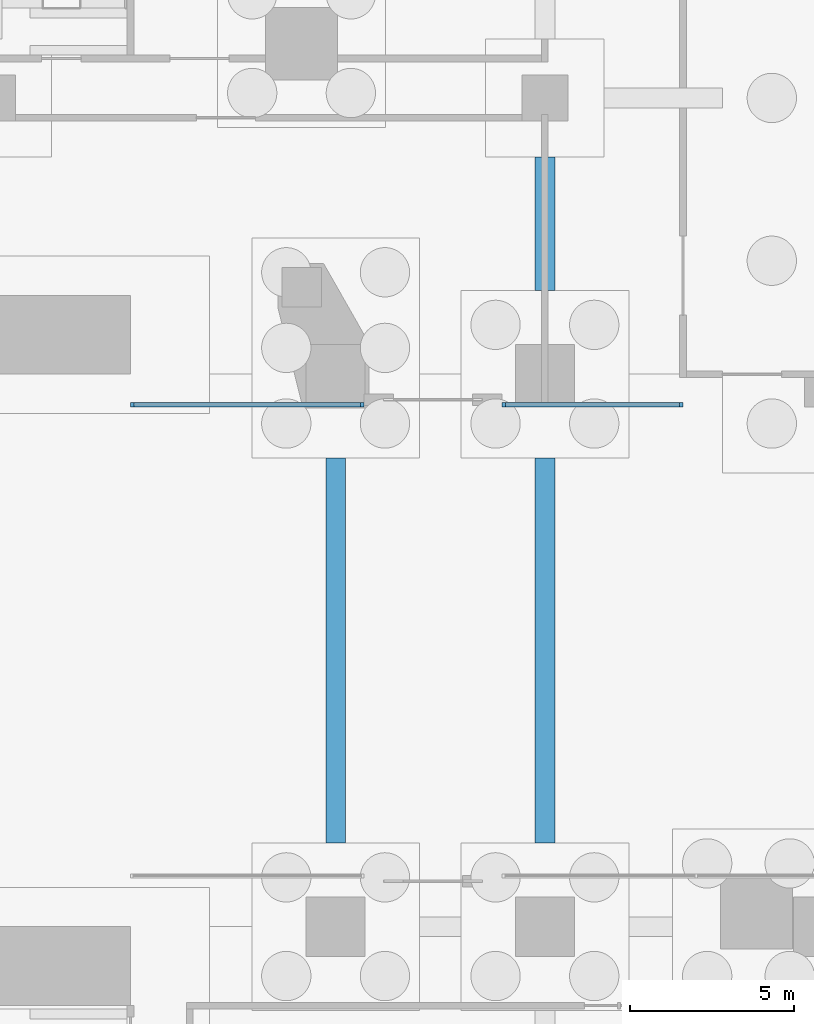
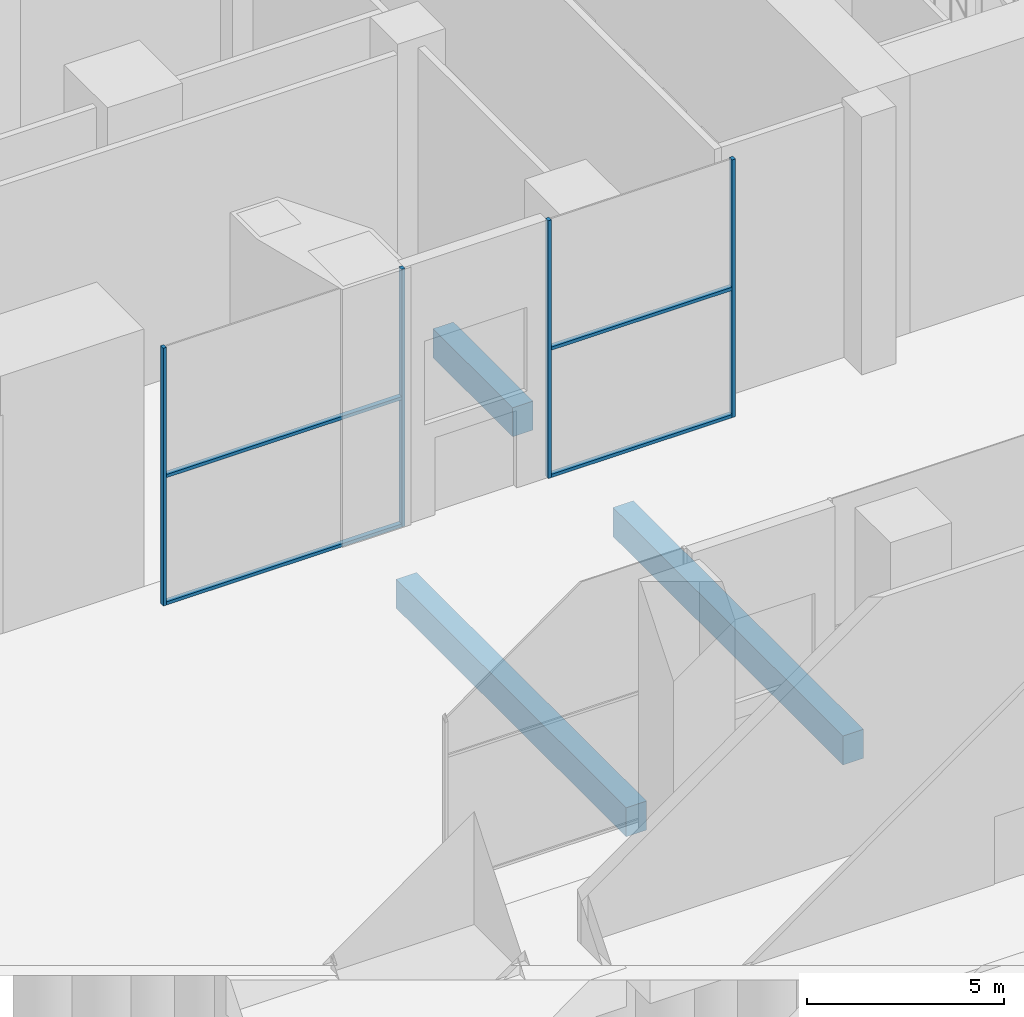
# One storey, part 5 of 31: 8 members, 3 beams, 2 elements without a shape of their own.
"""IFC4 building model written with IfcOpenShell, lengths in metres."""

import ifcopenshell
import ifcopenshell.guid

model = None  # the IFC model being written
_history = None  # IfcOwnerHistory: only IFC2X3 demands one
_inside = {}  # id of a spatial element -> (the spatial element, [elements in it])
_under = {}  # id of a project, library or spatial element -> (it, [spatial elements below it])
_declared = {}  # id of a project -> (the project, [libraries it declares])
_typed = {}  # id of a type object -> (the type object, [elements of that type])
_made_of = {}  # id of a material, layer set ... -> (it, [elements and type objects made of it])


def new_model(schema):
    """Start an empty IFC model of exactly this schema.

    Asked for "IFC4X3", IfcOpenShell would pick the latest addendum, in which some entities
    have other attributes; the version numbers below select the first issue.
    IFC2X3 requires an IfcOwnerHistory on every rooted entity: one is made here for all.
    """
    global model, _history
    if schema == "IFC4X3":
        model = ifcopenshell.file(schema_version=(4, 3, 0, 0))
    else:
        model = ifcopenshell.file(schema=schema)
    _inside.clear()
    _under.clear()
    _declared.clear()
    _typed.clear()
    _made_of.clear()
    _history = None
    if model.schema == "IFC2X3":
        org = make("IfcOrganization", Name="unknown")
        user = make(
            "IfcPersonAndOrganization",
            ThePerson=make("IfcPerson", FamilyName="unknown"),
            TheOrganization=org,
        )
        app = make(
            "IfcApplication",
            ApplicationDeveloper=org,
            Version="unknown",
            ApplicationFullName="unknown",
            ApplicationIdentifier="unknown",
        )
        _history = make(
            "IfcOwnerHistory",
            OwningUser=user,
            OwningApplication=app,
            ChangeAction="ADDED",
            CreationDate=0,
        )
    return model


def make(cls, **values):
    """One entity of the class cls with the attributes given. An attribute that is None is left unset."""
    return model.create_entity(
        cls, **{name: value for name, value in values.items() if value is not None}
    )


def rooted(cls, **values):
    """An entity with a GlobalId (a new one), such as an element, a storey or a relation."""
    return make(cls, GlobalId=ifcopenshell.guid.new(), OwnerHistory=_history, **values)


def si_unit(unit_type, name, prefix=None):
    """IfcSIUnit, for example si_unit("LENGTHUNIT", "METRE", prefix="MILLI")."""
    return make("IfcSIUnit", UnitType=unit_type, Prefix=prefix, Name=name)


def assignment(units):
    """IfcUnitAssignment: the units of a project."""
    return None if units is None else make("IfcUnitAssignment", Units=units)


def point(xyz):
    """IfcCartesianPoint."""
    return None if xyz is None else make("IfcCartesianPoint", Coordinates=xyz)


def direction(xyz):
    """IfcDirection."""
    return None if xyz is None else make("IfcDirection", DirectionRatios=xyz)


def frame(location, z_axis=None, x_axis=None):
    """IfcAxis2Placement3D, a coordinate frame: its origin and axes. An axis left out is left unset."""
    return make(
        "IfcAxis2Placement3D",
        Location=point(location),
        Axis=direction(z_axis),
        RefDirection=direction(x_axis),
    )


def frame_2d(location, x_axis=None):
    """IfcAxis2Placement2D, a coordinate frame in the plane: its origin and x axis."""
    return make(
        "IfcAxis2Placement2D", Location=point(location), RefDirection=direction(x_axis)
    )


def origin():
    """The frame at (0, 0, 0) with its axes left unset."""
    return frame((0.0, 0.0, 0.0))


def origin_2d():
    """The frame at (0, 0) in the plane with its x axis left unset."""
    return frame_2d((0.0, 0.0))


def place(relative_to, where):
    """IfcLocalPlacement: puts the frame where relative to a parent placement (None: the world)."""
    return make(
        "IfcLocalPlacement", PlacementRelTo=relative_to, RelativePlacement=where
    )


def context(
    kind, dimensions, precision=None, world=None, true_north=None, identifier=None
):
    """IfcGeometricRepresentationContext, for example the 3D "Model" context."""
    return make(
        "IfcGeometricRepresentationContext",
        ContextIdentifier=identifier,
        ContextType=kind,
        CoordinateSpaceDimension=dimensions,
        Precision=precision,
        WorldCoordinateSystem=world,
        TrueNorth=true_north,
    )


def subcontext(parent, identifier, kind, view, scale=None):
    """IfcGeometricRepresentationSubContext, for example "Body" below "Model"."""
    return make(
        "IfcGeometricRepresentationSubContext",
        ContextIdentifier=identifier,
        ContextType=kind,
        ParentContext=parent,
        TargetScale=scale,
        TargetView=view,
    )


def project(units=None, contexts=None):
    """IfcProject with its units and contexts."""
    return rooted(
        "IfcProject",
        Name="project",
        RepresentationContexts=contexts,
        UnitsInContext=assignment(units),
    )


def spatial(cls, under=None, at=None, **own):
    """A site, building, storey or space (cls), placed at a placement, below another one or the project."""
    s = rooted(cls, ObjectPlacement=at, **own)
    if under is not None:
        _under.setdefault(under.id(), (under, []))[1].append(s)
    return s


def profile(cls, at=None, kind="AREA", **sizes):
    """A parametric profile (cls). Its sizes go by their IFC names, for example OverallWidth=200.0."""
    return make(cls, ProfileType=kind, Position=at, **sizes)


def rectangle(**sizes):
    """IfcRectangleProfileDef."""
    return profile("IfcRectangleProfileDef", **sizes)


def extrude(swept, where, along, depth):
    """IfcExtrudedAreaSolid: the profile swept, set in the frame where, extruded along a direction by depth."""
    return make(
        "IfcExtrudedAreaSolid",
        SweptArea=swept,
        Position=where,
        ExtrudedDirection=direction(along),
        Depth=depth,
    )


def shape(context_of_items, identifier, shape_type, items):
    """IfcShapeRepresentation: the items that make up one representation, for example the "Body"."""
    return make(
        "IfcShapeRepresentation",
        ContextOfItems=context_of_items,
        RepresentationIdentifier=identifier,
        RepresentationType=shape_type,
        Items=items,
    )


def material(Name=None, Category=None):
    """IfcMaterial."""
    return make("IfcMaterial", Name=Name, Category=Category)


def layer(
    of_material, thickness, ventilated=None, Name=None, Category=None, Priority=None
):
    """IfcMaterialLayer: one layer of a wall or slab, of a material (None: an air gap)."""
    return make(
        "IfcMaterialLayer",
        Material=of_material,
        LayerThickness=thickness,
        IsVentilated=ventilated,
        Name=Name,
        Category=Category,
        Priority=Priority,
    )


def layer_set(layers, Name=None):
    """IfcMaterialLayerSet."""
    return make("IfcMaterialLayerSet", MaterialLayers=layers, LayerSetName=Name)


def material_profile(
    of_material, cross_section, Name=None, Category=None, Priority=None
):
    """IfcMaterialProfile: a cross section and its material."""
    return make(
        "IfcMaterialProfile",
        Name=Name,
        Material=of_material,
        Profile=cross_section,
        Priority=Priority,
        Category=Category,
    )


def profile_set(profiles, Name=None, composite=None):
    """IfcMaterialProfileSet."""
    return make(
        "IfcMaterialProfileSet",
        Name=Name,
        MaterialProfiles=profiles,
        CompositeProfile=composite,
    )


def made_of(thing, what):
    """Note that an element or type object is made of a material, layer set ...; save() writes the relation."""
    if what is not None:
        _made_of.setdefault(what.id(), (what, []))[1].append(thing)
    return thing


def type_object(cls, material=None, **own):
    """A type object (cls), such as IfcWallType, which elements share."""
    return made_of(rooted(cls, **own), material)


def element(
    cls,
    number,
    at=None,
    inside=None,
    cuts=None,
    type_object=None,
    material=None,
    context=None,
    identifier="Body",
    shape_type=None,
    held_by="IfcProductDefinitionShape",
    body=None,
    shapes=None,
    **own,
):
    """One element of the class cls, such as IfcWall. Its Tag is "e" and its number.

    at: its placement. inside: the storey or other place that contains it. cuts: it is an
    opening in that element (IfcRelVoidsElement). A single representation is given by context,
    identifier, shape_type and body (its items); several are given by shapes. held_by: the class
    of the entity that holds the representations. save() writes the other relations.
    """
    e = rooted(cls, Tag="e%d" % number, ObjectPlacement=at, **own)
    if body is not None:
        shapes = [shape(context, identifier, shape_type, body)]
    if shapes is not None:
        e.Representation = make(held_by, Representations=shapes)
    if inside is not None:
        _inside.setdefault(inside.id(), (inside, []))[1].append(e)
    if cuts is not None:
        rooted(
            "IfcRelVoidsElement", RelatingBuildingElement=cuts, RelatedOpeningElement=e
        )
    if type_object is not None:
        _typed.setdefault(type_object.id(), (type_object, []))[1].append(e)
    return made_of(e, material)


def aggregate(whole, parts):
    """IfcRelAggregates: a whole, such as a stair, and the parts it consists of."""
    return rooted("IfcRelAggregates", RelatingObject=whole, RelatedObjects=parts)


def save(model, path):
    """Write the relations noted so far, then the file.

    IfcRelAggregates (storeys below a building ...), IfcRelContainedInSpatialStructure (elements
    in a storey), IfcRelDefinesByType, IfcRelAssociatesMaterial and IfcRelDeclares: one each for
    every whole, place, type object, material and project.
    """
    for whole, parts in _under.values():
        aggregate(whole, parts)
    for where, things in _inside.values():
        rooted(
            "IfcRelContainedInSpatialStructure",
            RelatedElements=things,
            RelatingStructure=where,
        )
    for kind, things in _typed.values():
        rooted("IfcRelDefinesByType", RelatedObjects=things, RelatingType=kind)
    for what, things in _made_of.values():
        rooted("IfcRelAssociatesMaterial", RelatedObjects=things, RelatingMaterial=what)
    for by, libraries in _declared.values():
        rooted("IfcRelDeclares", RelatingContext=by, RelatedDefinitions=libraries)
    model.write(path)


model = new_model("IFC4")

# Units and contexts
model_context = context("Model", 3, precision=1e-05, world=origin(), true_north=direction((0.0, 1.0)))
body_context = subcontext(model_context, "Body", "Model", "MODEL_VIEW")
ifc_project = project(units=[si_unit("LENGTHUNIT", "METRE"), si_unit("AREAUNIT", "SQUARE_METRE"), si_unit("VOLUMEUNIT", "CUBIC_METRE"), si_unit("PLANEANGLEUNIT", "RADIAN"), si_unit("MASSUNIT", "GRAM", prefix="KILO")], contexts=[model_context])

# Site, building, storey
site_placement = place(None, origin())
site = spatial("IfcSite", under=ifc_project, at=site_placement, CompositionType="ELEMENT")
building_placement = place(site_placement, origin())
building = spatial("IfcBuilding", under=site, at=building_placement, Name="Marenta Gate Hotel Tower", CompositionType="ELEMENT")
storey_placement = place(building_placement, origin())
storey = spatial("IfcBuildingStorey", under=building, at=storey_placement, Name="L00", CompositionType="ELEMENT", Elevation=0.0)

# Beams
ifc_material_1 = material(Name="Concrete C40", Category="concrete")
ifc_material_profile_1 = material_profile(ifc_material_1, rectangle(XDim=0.60009765625, YDim=0.89990234375, at=origin_2d()), Name="600 x 900")
ifc_profile_set_1 = profile_set([ifc_material_profile_1], Name="Concrete C40")
beam_type = type_object("IfcBeamType", Name="Ground beam 600 x 900 C40", PredefinedType="BEAM", material=ifc_profile_set_1)
beam_1_placement = place(storey_placement, frame((-21.0, -14.25, -0.75), z_axis=(0.0, 1.0, 0.0), x_axis=(-1.0, 0.0, 0.0)))
element("IfcBeam", 1, at=beam_1_placement, inside=storey, type_object=beam_type, Name="L00-GB-26", PredefinedType="BEAM", context=body_context, shape_type="SweptSolid", body=[
    extrude(rectangle(XDim=0.60009765625, YDim=0.89990234375, at=origin_2d()), origin(), (0.0, 0.0, 1.0), 11.699951171875),
])
beam_2_placement = place(storey_placement, frame((-21.0, 2.550048828125, -0.75), z_axis=(0.0, 1.0, 0.0), x_axis=(-1.0, 0.0, 0.0)))
element("IfcBeam", 2, at=beam_2_placement, inside=storey, type_object=beam_type, Name="L00-GB-27", PredefinedType="BEAM", context=body_context, shape_type="SweptSolid", body=[
    extrude(rectangle(XDim=0.60009765625, YDim=0.89990234375, at=origin_2d()), origin(), (0.0, 0.0, 1.0), 4.050048828125),
])
beam_3_placement = place(storey_placement, frame((-27.363037109375, -14.25, -0.75), z_axis=(0.0, 1.0, 0.0), x_axis=(-1.0, 0.0, 0.0)))
element("IfcBeam", 3, at=beam_3_placement, inside=storey, type_object=beam_type, Name="L00-GB-77", PredefinedType="BEAM", context=body_context, shape_type="SweptSolid", body=[
    extrude(rectangle(XDim=0.60009765625, YDim=0.89990234375, at=origin_2d()), origin(), (0.0, 0.0, 1.0), 11.699951171875),
])

# Curtain wall, members
ifc_material_2 = material(Name="Tinted insulated glass in bronze anodised frame", Category="glass")
ifc_layer = layer(ifc_material_2, 0.139892578125)
ifc_layer_set = layer_set([ifc_layer], Name="Tinted insulated glass in bronze anodised frame")
curtain_wall_type = type_object("IfcCurtainWallType", Name="Hotel lobby glazing CW6", PredefinedType="NOTDEFINED", material=ifc_layer_set)
curtain_wall_1_placement = place(storey_placement, origin())
curtain_wall_1 = element("IfcCurtainWall", 4, at=curtain_wall_1_placement, inside=storey, type_object=curtain_wall_type, Name="CW6 run NB-S000", PredefinedType="NOTDEFINED")
ifc_material_3 = material(Name="Bronze anodised aluminium", Category="aluminium")
ifc_material_profile_2 = material_profile(ifc_material_3, rectangle(XDim=0.139892578125, YDim=0.10009765625, at=origin_2d()), Name="Mullion CW6 100x140 bronze anodised aluminium")
ifc_profile_set_2 = profile_set([ifc_material_profile_2], Name="Bronze anodised aluminium")
member_type_1 = type_object("IfcMemberType", Name="Mullion CW6 100x140 bronze anodised aluminium", PredefinedType="MULLION", material=ifc_profile_set_2)
member_1_placement = place(storey_placement, frame((-33.550048828125, -0.924072265625, 0.0), z_axis=(0.0, 0.0, 1.0), x_axis=(0.0, 1.0, 0.0)))
member_1 = element("IfcMember", 5, at=member_1_placement, type_object=member_type_1, Name="CW6 mullion 1", PredefinedType="MULLION", context=body_context, shape_type="SweptSolid", body=[
    extrude(rectangle(XDim=0.139892578125, YDim=0.10009765625, at=origin_2d()), origin(), (0.0, 0.0, 1.0), 8.0),
])
member_2_placement = place(storey_placement, frame((-26.550048828125, -0.924072265625, 0.0), z_axis=(0.0, 0.0, 1.0), x_axis=(0.0, 1.0, 0.0)))
member_2 = element("IfcMember", 6, at=member_2_placement, type_object=member_type_1, Name="CW6 mullion 2", PredefinedType="MULLION", context=body_context, shape_type="SweptSolid", body=[
    extrude(rectangle(XDim=0.139892578125, YDim=0.10009765625, at=origin_2d()), origin(), (0.0, 0.0, 1.0), 8.0),
])

curtain_wall_2_placement = place(storey_placement, origin())
curtain_wall_2 = element("IfcCurtainWall", 7, at=curtain_wall_2_placement, inside=storey, type_object=curtain_wall_type, Name="CW6 run NB-S001", PredefinedType="NOTDEFINED")
member_3_placement = place(storey_placement, frame((-22.25, -0.924072265625, 0.0), z_axis=(0.0, 0.0, 1.0), x_axis=(0.0, 1.0, 0.0)))
member_3 = element("IfcMember", 8, at=member_3_placement, type_object=member_type_1, Name="CW6 mullion 1", PredefinedType="MULLION", context=body_context, shape_type="SweptSolid", body=[
    extrude(rectangle(XDim=0.139892578125, YDim=0.10009765625, at=origin_2d()), origin(), (0.0, 0.0, 1.0), 8.0),
])
member_4_placement = place(storey_placement, frame((-16.85009765625, -0.924072265625, 0.0), z_axis=(0.0, 0.0, 1.0), x_axis=(0.0, 1.0, 0.0)))
member_4 = element("IfcMember", 9, at=member_4_placement, type_object=member_type_1, Name="CW6 mullion 2", PredefinedType="MULLION", context=body_context, shape_type="SweptSolid", body=[
    extrude(rectangle(XDim=0.139892578125, YDim=0.10009765625, at=origin_2d()), origin(), (0.0, 0.0, 1.0), 8.0),
])

# Member
ifc_material_4 = material(Name="Bronze anodised aluminium", Category="aluminium")
ifc_material_profile_3 = material_profile(ifc_material_4, rectangle(XDim=0.139892578125, YDim=0.10009765625, at=origin_2d()), Name="Transom CW6 100x140 bronze anodised aluminium")
ifc_profile_set_3 = profile_set([ifc_material_profile_3], Name="Bronze anodised aluminium")
member_type_2 = type_object("IfcMemberType", Name="Transom CW6 100x140 bronze anodised aluminium", PredefinedType="USERDEFINED", material=ifc_profile_set_3)
member_5_placement = place(storey_placement, frame((-33.5, -0.924072265625, 0.050048828125), z_axis=(1.0, 0.0, 0.0), x_axis=(0.0, 1.0, 0.0)))
member_5 = element("IfcMember", 10, at=member_5_placement, type_object=member_type_2, Name="CW6 transom 1.1", ObjectType="TRANSOM", PredefinedType="USERDEFINED", context=body_context, shape_type="SweptSolid", body=[
    extrude(rectangle(XDim=0.139892578125, YDim=0.10009765625, at=origin_2d()), origin(), (0.0, 0.0, 1.0), 6.89990234375),
])

member_6_placement = place(storey_placement, frame((-33.5, -0.924072265625, 4.0), z_axis=(1.0, 0.0, 0.0), x_axis=(0.0, 1.0, 0.0)))
member_6 = element("IfcMember", 11, at=member_6_placement, type_object=member_type_2, Name="CW6 transom 1.2", ObjectType="TRANSOM", PredefinedType="USERDEFINED", context=body_context, shape_type="SweptSolid", body=[
    extrude(rectangle(XDim=0.139892578125, YDim=0.10009765625, at=origin_2d()), origin(), (0.0, 0.0, 1.0), 6.89990234375),
])

aggregate(curtain_wall_1, [member_1, member_2, member_5, member_6])

member_7_placement = place(storey_placement, frame((-22.199951171875, -0.924072265625, 0.050048828125), z_axis=(1.0, 0.0, 0.0), x_axis=(0.0, 1.0, 0.0)))
member_7 = element("IfcMember", 12, at=member_7_placement, type_object=member_type_2, Name="CW6 transom 1.1", ObjectType="TRANSOM", PredefinedType="USERDEFINED", context=body_context, shape_type="SweptSolid", body=[
    extrude(rectangle(XDim=0.139892578125, YDim=0.10009765625, at=origin_2d()), origin(), (0.0, 0.0, 1.0), 5.300048828125),
])

member_8_placement = place(storey_placement, frame((-22.199951171875, -0.924072265625, 4.0), z_axis=(1.0, 0.0, 0.0), x_axis=(0.0, 1.0, 0.0)))
member_8 = element("IfcMember", 13, at=member_8_placement, type_object=member_type_2, Name="CW6 transom 1.2", ObjectType="TRANSOM", PredefinedType="USERDEFINED", context=body_context, shape_type="SweptSolid", body=[
    extrude(rectangle(XDim=0.139892578125, YDim=0.10009765625, at=origin_2d()), origin(), (0.0, 0.0, 1.0), 5.300048828125),
])

aggregate(curtain_wall_2, [member_3, member_4, member_7, member_8])

save(model, "model.ifc")
